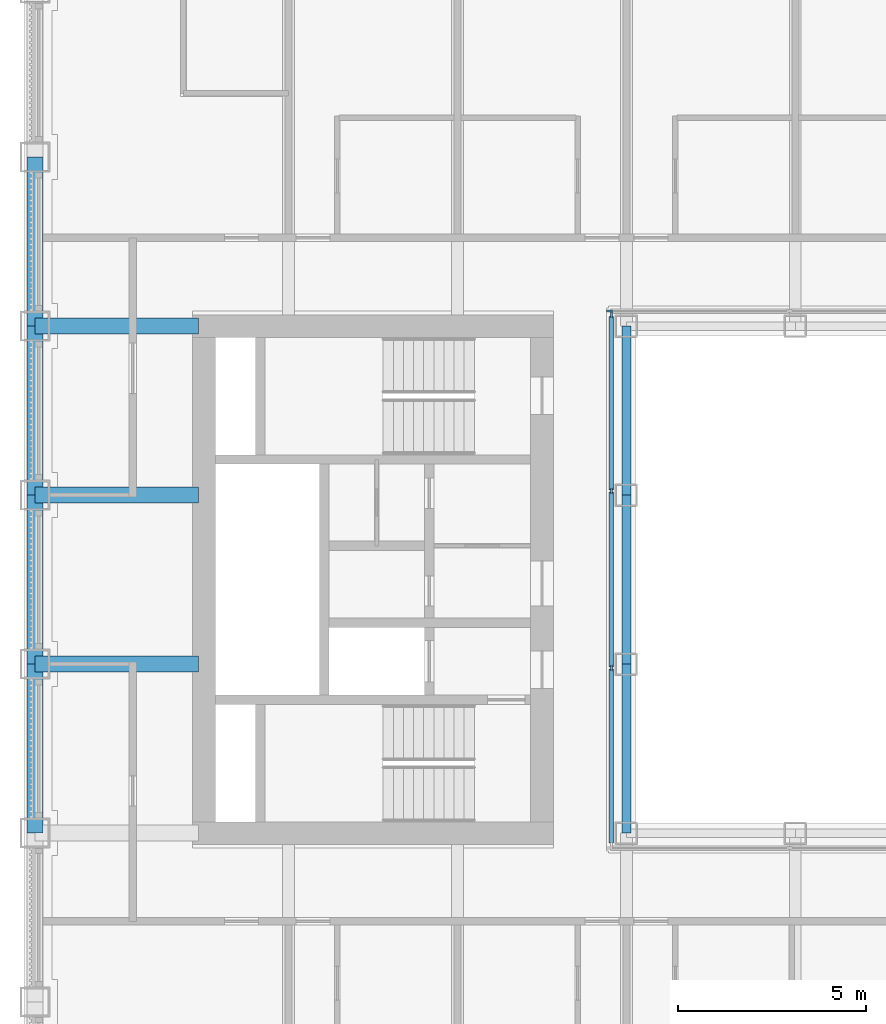
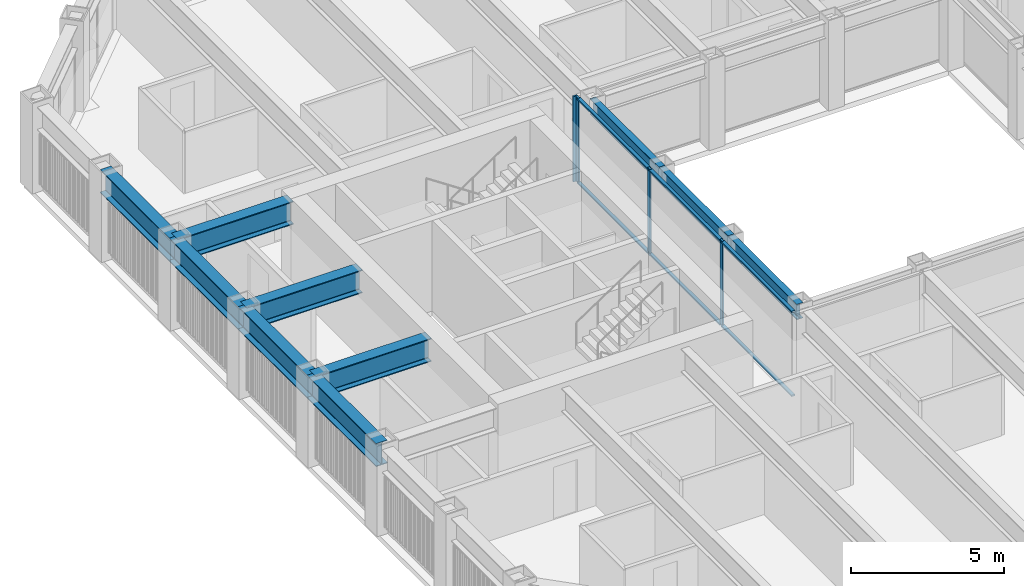
# One storey, part 4 of 17: 10 beams, 10 members, 2 elements without a shape of their own.
"""IFC4 building model written with IfcOpenShell, lengths in metres."""

from ifc_helpers import new_model, si_unit, direction, frame, origin, origin_2d, place, context, subcontext, project, spatial, rectangle, i_section, extrude, material, material_profile, profile_set, type_object, element, aggregate, save


model = new_model("IFC4")

# Units and contexts
model_context = context("Model", 3, precision=1e-05, world=origin(), true_north=direction((0.0, 1.0)))
body_context = subcontext(model_context, "Body", "Model", "MODEL_VIEW")
ifc_project = project(units=[si_unit("LENGTHUNIT", "METRE"), si_unit("AREAUNIT", "SQUARE_METRE"), si_unit("VOLUMEUNIT", "CUBIC_METRE"), si_unit("PLANEANGLEUNIT", "RADIAN"), si_unit("MASSUNIT", "GRAM", prefix="KILO")], contexts=[model_context])

# Site, building, storey
site_placement = place(None, origin())
site = spatial("IfcSite", under=ifc_project, at=site_placement, CompositionType="ELEMENT")
building_placement = place(site_placement, origin())
building = spatial("IfcBuilding", under=site, at=building_placement, Name="Msasa Ring Tower", CompositionType="ELEMENT")
storey_placement = place(building_placement, frame((0.0, 0.0, 143.60009765625)))
storey = spatial("IfcBuildingStorey", under=building, at=storey_placement, Name="L37", CompositionType="ELEMENT", Elevation=143.60009765625)

# Curtain wall, member
ifc_material_1 = material(Name="Aluminium curtain wall with clear glass", Category="aluminium")
curtain_wall_type = type_object("IfcCurtainWallType", Name="CW-W LIGHT WELL CURTAIN WALL", PredefinedType="NOTDEFINED", material=ifc_material_1)
curtain_wall_1_placement = place(storey_placement, origin())
curtain_wall_1 = element("IfcCurtainWall", 1, at=curtain_wall_1_placement, inside=storey, type_object=curtain_wall_type, Name="Light well curtain wall N L37", PredefinedType="NOTDEFINED")
ifc_material_2 = material(Name="Aluminium mullion", Category="aluminium")
ifc_material_profile_1 = material_profile(ifc_material_2, rectangle(XDim=0.06005859375, YDim=0.159912109375, at=origin_2d()), Name="AL 60x160")
ifc_profile_set_1 = profile_set([ifc_material_profile_1], Name="Aluminium mullion")
member_type_1 = type_object("IfcMemberType", Name="CW-W MULLION 60x160", PredefinedType="MULLION", material=ifc_profile_set_1)
member_1_placement = place(storey_placement, frame((-7.199951171875, 7.14990234375, 0.0), z_axis=(0.0, 0.0, 1.0), x_axis=(0.0, 1.0, 0.0)))
member_1 = element("IfcMember", 2, at=member_1_placement, type_object=member_type_1, Name="CW-W mullion 1", PredefinedType="MULLION", context=body_context, shape_type="SweptSolid", body=[
    extrude(rectangle(XDim=0.06005859375, YDim=0.159912109375, at=origin_2d()), origin(), (0.0, 0.0, 1.0), 3.39990234375),
])
aggregate(curtain_wall_1, [member_1])

# Curtain wall, members
curtain_wall_2_placement = place(storey_placement, origin())
curtain_wall_2 = element("IfcCurtainWall", 3, at=curtain_wall_2_placement, inside=storey, type_object=curtain_wall_type, Name="Light well curtain wall W L37", PredefinedType="NOTDEFINED")
member_2_placement = place(storey_placement, frame((-7.14990234375, -2.356689453125, 0.0), z_axis=(0.0, 0.0, 1.0), x_axis=(-1.0, 0.0, 0.0)))
member_2 = element("IfcMember", 4, at=member_2_placement, type_object=member_type_1, Name="CW-W mullion 2", PredefinedType="MULLION", context=body_context, shape_type="SweptSolid", body=[
    extrude(rectangle(XDim=0.06005859375, YDim=0.159912109375, at=origin_2d()), origin(), (0.0, 0.0, 1.0), 3.39990234375),
])
member_3_placement = place(storey_placement, frame((-7.14990234375, 2.356689453125, 0.0), z_axis=(0.0, 0.0, 1.0), x_axis=(-1.0, 0.0, 0.0)))
member_3 = element("IfcMember", 5, at=member_3_placement, type_object=member_type_1, Name="CW-W mullion 3", PredefinedType="MULLION", context=body_context, shape_type="SweptSolid", body=[
    extrude(rectangle(XDim=0.06005859375, YDim=0.159912109375, at=origin_2d()), origin(), (0.0, 0.0, 1.0), 3.39990234375),
])
member_4_placement = place(storey_placement, frame((-7.14990234375, 7.0400390625, 0.0), z_axis=(0.0, 0.0, 1.0), x_axis=(-1.0, 0.0, 0.0)))
member_4 = element("IfcMember", 6, at=member_4_placement, type_object=member_type_1, Name="CW-W mullion 4", PredefinedType="MULLION", context=body_context, shape_type="SweptSolid", body=[
    extrude(rectangle(XDim=0.06005859375, YDim=0.159912109375, at=origin_2d()), origin(), (0.0, 0.0, 1.0), 3.39990234375),
])
ifc_material_3 = material(Name="Aluminium transom", Category="aluminium")
ifc_material_profile_2 = material_profile(ifc_material_3, rectangle(XDim=0.1201171875, YDim=0.06005859375, at=origin_2d()), Name="AL 60x120")
ifc_profile_set_2 = profile_set([ifc_material_profile_2], Name="Aluminium transom")
member_type_2 = type_object("IfcMemberType", Name="CW-W TRANSOM 60x120", PredefinedType="USERDEFINED", material=ifc_profile_set_2)
member_5_placement = place(storey_placement, frame((-7.14990234375, -7.010009765625, 0.02978515625), z_axis=(0.0, 1.0, 0.0), x_axis=(-1.0, 0.0, 0.0)))
member_5 = element("IfcMember", 7, at=member_5_placement, type_object=member_type_2, Name="CW-W transom 1.1", ObjectType="TRANSOM", PredefinedType="USERDEFINED", context=body_context, shape_type="SweptSolid", body=[
    extrude(rectangle(XDim=0.1201171875, YDim=0.06005859375, at=origin_2d()), origin(), (0.0, 0.0, 1.0), 4.623291015625),
])
member_6_placement = place(storey_placement, frame((-7.14990234375, -7.010009765625, 3.369873046875), z_axis=(0.0, 1.0, 0.0), x_axis=(-1.0, 0.0, 0.0)))
member_6 = element("IfcMember", 8, at=member_6_placement, type_object=member_type_2, Name="CW-W transom 1.2", ObjectType="TRANSOM", PredefinedType="USERDEFINED", context=body_context, shape_type="SweptSolid", body=[
    extrude(rectangle(XDim=0.1201171875, YDim=0.06005859375, at=origin_2d()), origin(), (0.0, 0.0, 1.0), 4.623291015625),
])
member_7_placement = place(storey_placement, frame((-7.14990234375, -2.32666015625, 0.02978515625), z_axis=(0.0, 1.0, 0.0), x_axis=(-1.0, 0.0, 0.0)))
member_7 = element("IfcMember", 9, at=member_7_placement, type_object=member_type_2, Name="CW-W transom 2.1", ObjectType="TRANSOM", PredefinedType="USERDEFINED", context=body_context, shape_type="SweptSolid", body=[
    extrude(rectangle(XDim=0.1201171875, YDim=0.06005859375, at=origin_2d()), origin(), (0.0, 0.0, 1.0), 4.6533203125),
])
member_8_placement = place(storey_placement, frame((-7.14990234375, -2.32666015625, 3.369873046875), z_axis=(0.0, 1.0, 0.0), x_axis=(-1.0, 0.0, 0.0)))
member_8 = element("IfcMember", 10, at=member_8_placement, type_object=member_type_2, Name="CW-W transom 2.2", ObjectType="TRANSOM", PredefinedType="USERDEFINED", context=body_context, shape_type="SweptSolid", body=[
    extrude(rectangle(XDim=0.1201171875, YDim=0.06005859375, at=origin_2d()), origin(), (0.0, 0.0, 1.0), 4.6533203125),
])
member_9_placement = place(storey_placement, frame((-7.14990234375, 2.38671875, 0.02978515625), z_axis=(0.0, 1.0, 0.0), x_axis=(-1.0, 0.0, 0.0)))
member_9 = element("IfcMember", 11, at=member_9_placement, type_object=member_type_2, Name="CW-W transom 3.1", ObjectType="TRANSOM", PredefinedType="USERDEFINED", context=body_context, shape_type="SweptSolid", body=[
    extrude(rectangle(XDim=0.1201171875, YDim=0.06005859375, at=origin_2d()), origin(), (0.0, 0.0, 1.0), 4.623291015625),
])
member_10_placement = place(storey_placement, frame((-7.14990234375, 2.38671875, 3.369873046875), z_axis=(0.0, 1.0, 0.0), x_axis=(-1.0, 0.0, 0.0)))
member_10 = element("IfcMember", 12, at=member_10_placement, type_object=member_type_2, Name="CW-W transom 3.2", ObjectType="TRANSOM", PredefinedType="USERDEFINED", context=body_context, shape_type="SweptSolid", body=[
    extrude(rectangle(XDim=0.1201171875, YDim=0.06005859375, at=origin_2d()), origin(), (0.0, 0.0, 1.0), 4.623291015625),
])
aggregate(curtain_wall_2, [member_2, member_3, member_4, member_5, member_6, member_7, member_8, member_9, member_10])

# Beams
ifc_material_4 = material(Name="Steel S355", Category="steel")
ifc_material_profile_3 = material_profile(ifc_material_4, i_section(OverallWidth=0.42041015625, OverallDepth=0.9208984375, WebThickness=0.021484375, FlangeThickness=0.03662109375, FilletRadius=0.024169921875, at=origin_2d()), Name="UB 914x419x388")
ifc_profile_set_3 = profile_set([ifc_material_profile_3], Name="Steel S355")
beam_type_1 = type_object("IfcBeamType", Name="FB2 UB 914x419x388", PredefinedType="BEAM", material=ifc_profile_set_3)
for number, where, z_axis, x_axis, name in (
    (13, (-22.5, -2.25, 2.939453125), (1.0, 0.0, 0.0), (0.0, 1.0, 0.0), "Floor beam W -2.25 under L38"),
    (14, (-22.5, 2.25, 2.939453125), (1.0, 0.0, 0.0), (0.0, 1.0, 0.0), "Floor beam W +2.25 under L38"),
):
    element("IfcBeam", number, at=place(storey_placement, frame(where, z_axis=z_axis, x_axis=x_axis)), inside=storey, type_object=beam_type_1, Name=name, PredefinedType="BEAM", context=body_context, shape_type="SweptSolid", body=[
        extrude(i_section(OverallWidth=0.42041015625, OverallDepth=0.9208984375, WebThickness=0.021484375, FlangeThickness=0.03662109375, FilletRadius=0.024169921875, at=origin_2d()), origin(), (0.0, 0.0, 1.0), 4.35009765625),
    ])
ifc_material_5 = material(Name="Steel S355", Category="steel")
ifc_material_profile_4 = material_profile(ifc_material_5, i_section(OverallWidth=0.42041015625, OverallDepth=0.9208984375, WebThickness=0.021484375, FlangeThickness=0.03662109375, FilletRadius=0.024169921875, at=origin_2d()), Name="UB 914x419x388")
ifc_profile_set_4 = profile_set([ifc_material_profile_4], Name="Steel S355")
beam_type_2 = type_object("IfcBeamType", Name="GB1 UB 914x419x388", PredefinedType="BEAM", material=ifc_profile_set_4)
beam_placement = place(storey_placement, frame((-18.14990234375, 6.75, 2.939453125), z_axis=(-1.0, 0.0, 0.0), x_axis=(0.0, -1.0, 0.0)))
element("IfcBeam", 15, at=beam_placement, inside=storey, type_object=beam_type_2, Name="Girder W +6.75 under L38", PredefinedType="BEAM", context=body_context, shape_type="SweptSolid", body=[
    extrude(i_section(OverallWidth=0.42041015625, OverallDepth=0.9208984375, WebThickness=0.021484375, FlangeThickness=0.03662109375, FilletRadius=0.024169921875, at=origin_2d()), origin(), (0.0, 0.0, 1.0), 4.35009765625),
])
ifc_material_6 = material(Name="Steel S355", Category="steel")
ifc_material_profile_5 = material_profile(ifc_material_6, i_section(OverallWidth=0.230224609375, OverallDepth=0.6171875, WebThickness=0.01318359375, FlangeThickness=0.022216796875, FilletRadius=0.0126953125, at=origin_2d()), Name="UB 610x229x140")
ifc_profile_set_5 = profile_set([ifc_material_profile_5], Name="Steel S355")
beam_type_3 = type_object("IfcBeamType", Name="RB1 UB 610x229x140", PredefinedType="BEAM", material=ifc_profile_set_5)
for number, where, z_axis, x_axis, name in (
    (16, (-6.75, -2.25, 3.09130859375), (0.0, -1.0, 0.0), (1.0, 0.0, 0.0), "Inner ring beam IR-6.75-2.25 under L38"),
    (17, (-6.75, 6.75, 3.09130859375), (0.0, -1.0, 0.0), (1.0, 0.0, 0.0), "Inner ring beam IR-6.75+6.75 under L38"),
    (18, (-6.75, 2.25, 3.09130859375), (0.0, -1.0, 0.0), (1.0, 0.0, 0.0), "Inner ring beam IR-6.75+2.25 under L38"),
):
    element("IfcBeam", number, at=place(storey_placement, frame(where, z_axis=z_axis, x_axis=x_axis)), inside=storey, type_object=beam_type_3, Name=name, PredefinedType="BEAM", context=body_context, shape_type="SweptSolid", body=[
        extrude(i_section(OverallWidth=0.230224609375, OverallDepth=0.6171875, WebThickness=0.01318359375, FlangeThickness=0.022216796875, FilletRadius=0.0126953125, at=origin_2d()), origin(), (0.0, 0.0, 1.0), 4.5),
    ])
ifc_material_7 = material(Name="Steel S355", Category="steel")
ifc_material_profile_6 = material_profile(ifc_material_7, i_section(OverallWidth=0.42041015625, OverallDepth=0.9208984375, WebThickness=0.021484375, FlangeThickness=0.03662109375, FilletRadius=0.024169921875, at=origin_2d()), Name="UB 914x419x388")
ifc_profile_set_6 = profile_set([ifc_material_profile_6], Name="Steel S355")
beam_type_4 = type_object("IfcBeamType", Name="SB1 UB 914x419x388", PredefinedType="SPANDREL", material=ifc_profile_set_6)
for number, where, z_axis, x_axis, name in (
    (19, (-22.5, -2.25, 2.939453125), (0.0, -1.0, 0.0), (1.0, 0.0, 0.0), "Spandrel W-2.25 to W-6.75 under L38"),
    (20, (-22.5, 11.25, 2.939453125), (0.0, -1.0, 0.0), (1.0, 0.0, 0.0), "Spandrel W+11.25 to W+6.75 under L38"),
    (21, (-22.5, 6.75, 2.939453125), (0.0, -1.0, 0.0), (1.0, 0.0, 0.0), "Spandrel W+6.75 to W+2.25 under L38"),
    (22, (-22.5, 2.25, 2.939453125), (0.0, -1.0, 0.0), (1.0, 0.0, 0.0), "Spandrel W+2.25 to W-2.25 under L38"),
):
    element("IfcBeam", number, at=place(storey_placement, frame(where, z_axis=z_axis, x_axis=x_axis)), inside=storey, type_object=beam_type_4, Name=name, PredefinedType="SPANDREL", context=body_context, shape_type="SweptSolid", body=[
        extrude(i_section(OverallWidth=0.42041015625, OverallDepth=0.9208984375, WebThickness=0.021484375, FlangeThickness=0.03662109375, FilletRadius=0.024169921875, at=origin_2d()), origin(), (0.0, 0.0, 1.0), 4.5),
    ])

save(model, "model.ifc")
